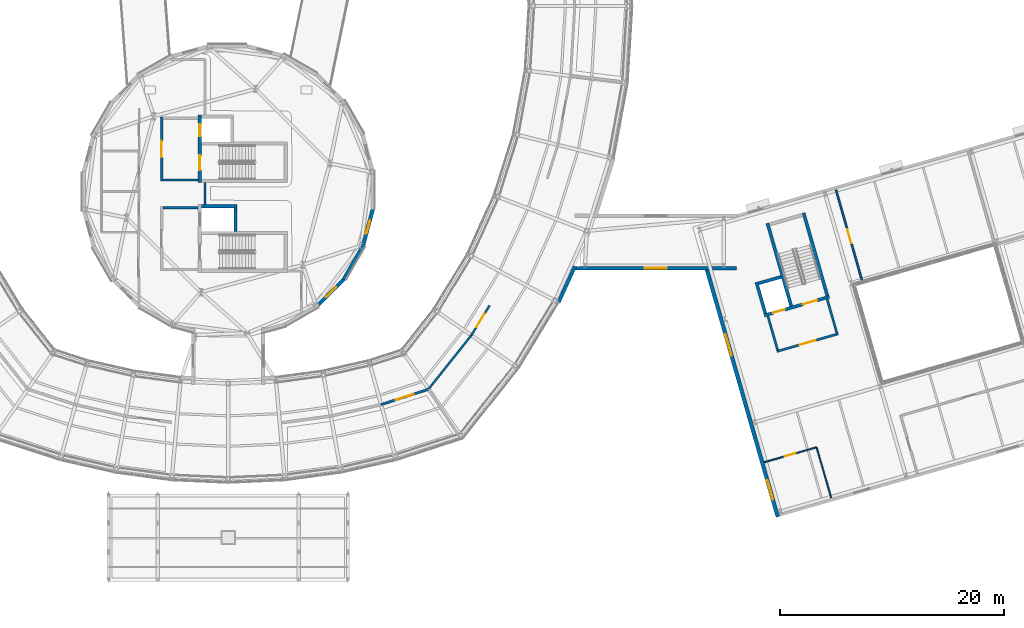
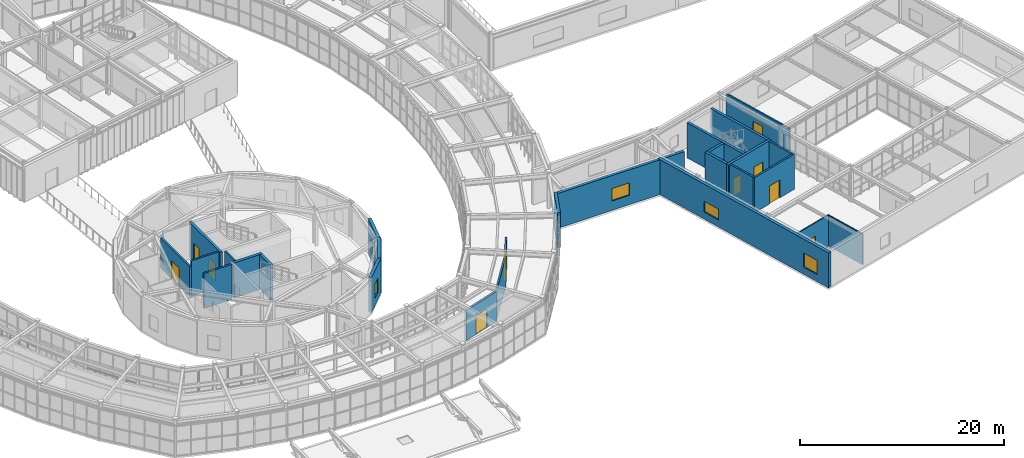
# One storey, part 77 of 103: 27 walls, 10 doors, 5 windows, 15 openings.
"""IFC4 building model written with IfcOpenShell, lengths in metres."""

from ifc_helpers import new_model, si_unit, direction, frame, frame_2d, origin, place, context, subcontext, project, spatial, rectangle, extrude, material, layer, layer_set, type_object, element, fill, save


model = new_model("IFC4")

# Units and contexts
model_context = context("Model", 3, precision=1e-05, world=origin(), true_north=direction((0.0, 1.0)))
body_context = subcontext(model_context, "Body", "Model", "MODEL_VIEW")
ifc_project = project(units=[si_unit("LENGTHUNIT", "METRE"), si_unit("AREAUNIT", "SQUARE_METRE"), si_unit("VOLUMEUNIT", "CUBIC_METRE"), si_unit("PLANEANGLEUNIT", "RADIAN"), si_unit("MASSUNIT", "GRAM", prefix="KILO")], contexts=[model_context])

# Site, building, storey
site_placement = place(None, origin())
site = spatial("IfcSite", under=ifc_project, at=site_placement, CompositionType="ELEMENT")
building_placement = place(site_placement, origin())
building = spatial("IfcBuilding", under=site, at=building_placement, Name="Varnklinge Art Gallery", CompositionType="ELEMENT")
storey_placement = place(building_placement, frame((0.0, 0.0, 5.10009765625)))
storey = spatial("IfcBuildingStorey", under=building, at=storey_placement, Name="L01", CompositionType="ELEMENT", Elevation=5.10009765625)

# Wall
ifc_material_1 = material(Name="Precast concrete C40/50", Category="concrete")
ifc_layer_1 = layer(ifc_material_1, 0.320068359375)
ifc_layer_set_1 = layer_set([ifc_layer_1], Name="Precast concrete C40/50")
wall_type_1 = type_object("IfcWallType", Name="EW-32", PredefinedType="SOLIDWALL", material=ifc_layer_set_1)
wall_1_placement = place(storey_placement, frame((106.485107421875, 31.719970703125, 0.0), z_axis=(0.0, 0.0, 1.0), x_axis=(-0.413433018277, -0.910534534984, 0.0)))
element("IfcWall", 1, at=wall_1_placement, inside=storey, type_object=wall_type_1, Name="EW-V2O-L01-K2-1", PredefinedType="SOLIDWALL", context=body_context, shape_type="SweptSolid", body=[
    extrude(rectangle(XDim=3.53076171875, YDim=0.320068359375, at=frame_2d((1.765380859375, 0.0))), origin(), (0.0, 0.0, 1.0), 4.179931640625),
])

# Wall, opening, window
wall_2_placement = place(storey_placement, frame((120.919921875, 31.56005859375, 0.0), z_axis=(0.0, 0.0, 1.0), x_axis=(-1.0, 0.0, 0.0)))
wall_2 = element("IfcWall", 2, at=wall_2_placement, inside=storey, type_object=wall_type_1, Name="L01 Gallery Link Wall EW-LNK-V6-L01-S", PredefinedType="SOLIDWALL", context=body_context, shape_type="SweptSolid", body=[
    extrude(rectangle(XDim=14.43994140625, YDim=0.320068359375, at=frame_2d((7.219970703125, 0.0))), origin(), (0.0, 0.0, 1.0), 4.169921875),
])
opening_1_placement = place(wall_2_placement, frame((6.2451171875, 0.0, 1.1201171875)))
opening_1 = element("IfcOpeningElement", 3, at=opening_1_placement, cuts=wall_2, Name="Opening WN-05", PredefinedType="OPENING", context=body_context, shape_type="SweptSolid", body=[
    extrude(rectangle(XDim=1.949951171875, YDim=1.5, at=frame_2d((0.97509765625, 0.75))), frame((0.0, 0.170166015625, 0.0), z_axis=(0.0, -1.0, 0.0), x_axis=(1.0, 0.0, 0.0)), (0.0, 0.0, 1.0), 0.340087890625),
])
ifc_material_2 = material(Name="Insulated Low-E Triple Glazing", Category="glass")
window_type_1 = type_object("IfcWindowType", Name="WN-05", PartitioningType="SINGLE_PANEL", PredefinedType="WINDOW", material=ifc_material_2)
window_1_placement = place(opening_1_placement, origin())
window_1 = element("IfcWindow", 4, at=window_1_placement, inside=storey, type_object=window_type_1, Name="L01 Window WIN-L01-235", OverallHeight=1.5, OverallWidth=1.949951171875, PartitioningType="SINGLE_PANEL", PredefinedType="WINDOW", context=body_context, shape_type="SweptSolid", body=[
    extrude(rectangle(XDim=1.949951171875, YDim=1.5, at=frame_2d((0.97509765625, 0.75))), frame((0.0, 0.030029296875, 0.0), z_axis=(0.0, -1.0, 0.0), x_axis=(1.0, 0.0, 0.0)), (0.0, 0.0, 1.0), 0.06005859375),
])
fill(opening_1, window_1)

ifc_material_3 = material(Name="Precast concrete C40/50", Category="concrete")
ifc_layer_2 = layer(ifc_material_3, 0.340087890625)
ifc_layer_set_2 = layer_set([ifc_layer_2], Name="Precast concrete C40/50")
wall_type_2 = type_object("IfcWallType", Name="EW-34", PredefinedType="SOLIDWALL", material=ifc_layer_set_2)
wall_3_placement = place(storey_placement, frame((88.461181640625, 36.963623046875, 0.0), z_axis=(0.0, 0.0, 1.0), x_axis=(-0.258828348784, -0.965923333327, 0.0)))
wall_3 = element("IfcWall", 5, at=wall_3_placement, inside=storey, type_object=wall_type_2, Name="L01 Exterior Wall EW-V4D-L01-02", PredefinedType="SOLIDWALL", context=body_context, shape_type="SweptSolid", body=[
    extrude(rectangle(XDim=3.571044921875, YDim=0.340087890625, at=frame_2d((1.78564453125, 0.0))), origin(), (0.0, 0.0, 1.0), 4.199951171875),
])
opening_2_placement = place(wall_3_placement, frame((1.16064453125, 0.0, 0.85009765625)))
opening_2 = element("IfcOpeningElement", 6, at=opening_2_placement, cuts=wall_3, Name="Opening WN-09", PredefinedType="OPENING", context=body_context, shape_type="SweptSolid", body=[
    extrude(rectangle(XDim=1.25, YDim=1.699951171875, at=frame_2d((0.625, 0.85009765625))), frame((0.0, 0.179931640625, 0.0), z_axis=(0.0, -1.0, 0.0), x_axis=(1.0, 0.0, 0.0)), (0.0, 0.0, 1.0), 0.360107421875),
])
ifc_material_4 = material(Name="Insulated Low-E Triple Glazing", Category="glass")
window_type_2 = type_object("IfcWindowType", Name="WN-09", PartitioningType="SINGLE_PANEL", PredefinedType="WINDOW", material=ifc_material_4)
window_2_placement = place(opening_2_placement, origin())
window_2 = element("IfcWindow", 7, at=window_2_placement, inside=storey, type_object=window_type_2, Name="L01 Window WIN-L01-076", OverallHeight=1.699951171875, OverallWidth=1.25, PartitioningType="SINGLE_PANEL", PredefinedType="WINDOW", context=body_context, shape_type="SweptSolid", body=[
    extrude(rectangle(XDim=1.25, YDim=1.699951171875, at=frame_2d((0.625, 0.85009765625))), frame((0.0, 0.030029296875, 0.0), z_axis=(0.0, -1.0, 0.0), x_axis=(1.0, 0.0, 0.0)), (0.0, 0.0, 1.0), 0.06005859375),
])
fill(opening_2, window_2)

# Wall
wall_4_placement = place(storey_placement, frame((87.621826171875, 33.661376953125, 0.0), z_axis=(0.0, 0.0, 1.0), x_axis=(-0.500006500783, -0.866021650523, 0.0)))
element("IfcWall", 8, at=wall_4_placement, inside=storey, type_object=wall_type_2, Name="L01 Exterior Wall EW-V4D-L01-03", PredefinedType="SOLIDWALL", context=body_context, shape_type="SweptSolid", body=[
    extrude(rectangle(XDim=3.5712890625, YDim=0.340087890625, at=frame_2d((1.78564453125, 0.0))), origin(), (0.0, 0.0, 1.0), 4.199951171875),
])

# Wall, opening, window
wall_5_placement = place(storey_placement, frame((85.95654296875, 30.68896484375, 0.0), z_axis=(0.0, 0.0, 1.0), x_axis=(-0.707106781187, -0.707106781187, 0.0)))
wall_5 = element("IfcWall", 9, at=wall_5_placement, inside=storey, type_object=wall_type_2, Name="L01 Exterior Wall EW-V4D-L01-04", PredefinedType="SOLIDWALL", context=body_context, shape_type="SweptSolid", body=[
    extrude(rectangle(XDim=3.571044921875, YDim=0.340087890625, at=frame_2d((1.78564453125, 0.0))), origin(), (0.0, 0.0, 1.0), 4.199951171875),
])
opening_3_placement = place(wall_5_placement, frame((1.16064453125, 0.0, 0.85009765625)))
opening_3 = element("IfcOpeningElement", 10, at=opening_3_placement, cuts=wall_5, Name="Opening WN-09", PredefinedType="OPENING", context=body_context, shape_type="SweptSolid", body=[
    extrude(rectangle(XDim=1.25, YDim=1.699951171875, at=frame_2d((0.625, 0.85009765625))), frame((0.0, 0.179931640625, 0.0), z_axis=(0.0, -1.0, 0.0), x_axis=(1.0, 0.0, 0.0)), (0.0, 0.0, 1.0), 0.360107421875),
])
window_3_placement = place(opening_3_placement, origin())
window_3 = element("IfcWindow", 11, at=window_3_placement, inside=storey, type_object=window_type_2, Name="L01 Window WIN-L01-077", OverallHeight=1.699951171875, OverallWidth=1.25, PartitioningType="SINGLE_PANEL", PredefinedType="WINDOW", context=body_context, shape_type="SweptSolid", body=[
    extrude(rectangle(XDim=1.25, YDim=1.699951171875, at=frame_2d((0.625, 0.85009765625))), frame((0.0, 0.030029296875, 0.0), z_axis=(0.0, -1.0, 0.0), x_axis=(1.0, 0.0, 0.0)), (0.0, 0.0, 1.0), 0.06005859375),
])
fill(opening_3, window_3)

# Wall, openings, windows
wall_6_placement = place(storey_placement, frame((124.62060546875, 9.332763671875, 0.0), z_axis=(0.0, 0.0, 1.0), x_axis=(-0.275637565206, 0.961261635897, 0.0)))
wall_6 = element("IfcWall", 12, at=wall_6_placement, inside=storey, type_object=wall_type_2, Name="L01 Exterior Wall EW-V6-L01-01", PredefinedType="SOLIDWALL", context=body_context, shape_type="SweptSolid", body=[
    extrude(rectangle(XDim=23.289306640625, YDim=0.340087890625, at=frame_2d((11.64453125, 0.0))), origin(), (0.0, 0.0, 1.0), 4.199951171875),
])
opening_4_placement = place(wall_6_placement, frame((1.60009765625, 0.0, 0.85009765625)))
opening_4 = element("IfcOpeningElement", 13, at=opening_4_placement, cuts=wall_6, Name="Opening WN-11", PredefinedType="OPENING", context=body_context, shape_type="SweptSolid", body=[
    extrude(rectangle(XDim=1.800048828125, YDim=1.699951171875, at=frame_2d((0.89990234375, 0.85009765625))), frame((0.0, 0.179931640625, 0.0), z_axis=(0.0, -1.0, 0.0), x_axis=(1.0, 0.0, 0.0)), (0.0, 0.0, 1.0), 0.360107421875),
])
opening_5_placement = place(wall_6_placement, frame((14.992919921875, 0.0, 0.85009765625)))
opening_5 = element("IfcOpeningElement", 14, at=opening_5_placement, cuts=wall_6, Name="Opening WN-18", PredefinedType="OPENING", context=body_context, shape_type="SweptSolid", body=[
    extrude(rectangle(XDim=2.0, YDim=1.300048828125, at=frame_2d((1.0, 0.64990234375))), frame((0.0, 0.179931640625, 0.0), z_axis=(0.0, -1.0, 0.0), x_axis=(1.0, 0.0, 0.0)), (0.0, 0.0, 1.0), 0.360107421875),
])
ifc_material_5 = material(Name="Insulated Low-E Triple Glazing", Category="glass")
window_type_3 = type_object("IfcWindowType", Name="WN-11", PartitioningType="SINGLE_PANEL", PredefinedType="WINDOW", material=ifc_material_5)
window_4_placement = place(opening_4_placement, origin())
window_4 = element("IfcWindow", 15, at=window_4_placement, inside=storey, type_object=window_type_3, Name="L01 Window WIN-L01-162", OverallHeight=1.699951171875, OverallWidth=1.800048828125, PartitioningType="SINGLE_PANEL", PredefinedType="WINDOW", context=body_context, shape_type="SweptSolid", body=[
    extrude(rectangle(XDim=1.800048828125, YDim=1.699951171875, at=frame_2d((0.89990234375, 0.85009765625))), frame((0.0, 0.030029296875, 0.0), z_axis=(0.0, -1.0, 0.0), x_axis=(1.0, 0.0, 0.0)), (0.0, 0.0, 1.0), 0.06005859375),
])
fill(opening_4, window_4)
ifc_material_6 = material(Name="Insulated Low-E Triple Glazing", Category="glass")
window_type_4 = type_object("IfcWindowType", Name="WN-18", PartitioningType="SINGLE_PANEL", PredefinedType="WINDOW", material=ifc_material_6)
window_5_placement = place(opening_5_placement, origin())
window_5 = element("IfcWindow", 16, at=window_5_placement, inside=storey, type_object=window_type_4, Name="L01 Window WIN-L01-163", OverallHeight=1.300048828125, OverallWidth=2.0, PartitioningType="SINGLE_PANEL", PredefinedType="WINDOW", context=body_context, shape_type="SweptSolid", body=[
    extrude(rectangle(XDim=2.0, YDim=1.300048828125, at=frame_2d((1.0, 0.64990234375))), frame((0.0, 0.030029296875, 0.0), z_axis=(0.0, -1.0, 0.0), x_axis=(1.0, 0.0, 0.0)), (0.0, 0.0, 1.0), 0.06005859375),
])
fill(opening_5, window_5)

# Wall, opening, door
ifc_material_7 = material(Name="Gypsum Board Partition", Category="gypsum")
ifc_layer_3 = layer(ifc_material_7, 0.1201171875)
ifc_layer_set_3 = layer_set([ifc_layer_3], Name="Gypsum Board Partition")
wall_type_3 = type_object("IfcWallType", Name="IW-12", PredefinedType="PARTITIONING", material=ifc_layer_set_3)
wall_7_placement = place(storey_placement, frame((123.4013671875, 14.2158203125, 0.0), z_axis=(0.0, 0.0, 1.0), x_axis=(0.961754062565, 0.273914444926, 0.0)))
wall_7 = element("IfcWall", 17, at=wall_7_placement, inside=storey, type_object=wall_type_3, Name="L01 Partition Wall IW-L01-0228", PredefinedType="PARTITIONING", context=body_context, shape_type="SweptSolid", body=[
    extrude(rectangle(XDim=4.877197265625, YDim=0.1201171875, at=frame_2d((2.4384765625, 0.0))), origin(), (0.0, 0.0, 1.0), 3.739990234375),
])
opening_6_placement = place(wall_7_placement, frame((1.9287109375, 0.0, 0.0)))
opening_6 = element("IfcOpeningElement", 18, at=opening_6_placement, cuts=wall_7, Name="Opening D-L01-210", PredefinedType="OPENING", context=body_context, shape_type="SweptSolid", body=[
    extrude(rectangle(XDim=1.02001953125, YDim=2.1201171875, at=frame_2d((0.510009765625, 1.06005859375))), frame((0.0, 0.070068359375, 0.0), z_axis=(0.0, -1.0, 0.0), x_axis=(1.0, 0.0, 0.0)), (0.0, 0.0, 1.0), 0.14013671875),
])
ifc_material_8 = material(Name="Oak Timber Leaf", Category="wood")
door_type_1 = type_object("IfcDoorType", Name="ID-03", OperationType="SINGLE_SWING_LEFT", PredefinedType="DOOR", material=ifc_material_8)
door_1_placement = place(opening_6_placement, origin())
door_1 = element("IfcDoor", 19, at=door_1_placement, inside=storey, type_object=door_type_1, Name="L01 L01 Accessible WC Studios Door D-L01-210", OperationType="SINGLE_SWING_RIGHT", OverallHeight=2.1201171875, OverallWidth=1.02001953125, PredefinedType="DOOR", context=body_context, shape_type="SweptSolid", body=[
    extrude(rectangle(XDim=1.02001953125, YDim=2.1201171875, at=frame_2d((0.510009765625, 1.06005859375))), frame((0.0, 0.02490234375, 0.0), z_axis=(0.0, -1.0, 0.0), x_axis=(1.0, 0.0, 0.0)), (0.0, 0.0, 1.0), 0.050048828125),
])
fill(opening_6, door_1)

# Wall
wall_8_placement = place(storey_placement, frame((128.092041015625, 15.5517578125, 0.0), z_axis=(0.0, 0.0, 1.0), x_axis=(0.277429379743, -0.960746032652, 0.0)))
element("IfcWall", 20, at=wall_8_placement, inside=storey, type_object=wall_type_3, Name="L01 Partition Wall IW-L01-0229", PredefinedType="PARTITIONING", context=body_context, shape_type="SweptSolid", body=[
    extrude(rectangle(XDim=4.67724609375, YDim=0.1201171875, at=frame_2d((2.338623046875, 0.0))), origin(), (0.0, 0.0, 1.0), 3.68994140625),
])

# Wall, opening, door
ifc_material_9 = material(Name="Gypsum Board Partition", Category="gypsum")
ifc_layer_4 = layer(ifc_material_9, 0.159912109375)
ifc_layer_set_4 = layer_set([ifc_layer_4], Name="Gypsum Board Partition")
wall_type_4 = type_object("IfcWallType", Name="IW-16", PredefinedType="PARTITIONING", material=ifc_layer_set_4)
wall_9_placement = place(storey_placement, frame((129.8271484375, 38.555908203125, 0.0), z_axis=(0.0, 0.0, 1.0), x_axis=(0.275653938158, -0.961256940874, 0.0)))
wall_9 = element("IfcWall", 21, at=wall_9_placement, inside=storey, type_object=wall_type_4, Name="L01 Partition Wall IW-L01-0230", PredefinedType="PARTITIONING", context=body_context, shape_type="SweptSolid", body=[
    extrude(rectangle(XDim=8.606201171875, YDim=0.159912109375, at=frame_2d((4.30322265625, 0.0))), origin(), (0.0, 0.0, 1.0), 3.68994140625),
])
opening_7_placement = place(wall_9_placement, frame((3.653076171875, 0.0, 0.0)))
opening_7 = element("IfcOpeningElement", 22, at=opening_7_placement, cuts=wall_9, Name="Opening D-L01-211", PredefinedType="OPENING", context=body_context, shape_type="SweptSolid", body=[
    extrude(rectangle(XDim=1.300048828125, YDim=2.14990234375, at=frame_2d((0.64990234375, 1.074951171875))), frame((0.0, 0.090087890625, 0.0), z_axis=(0.0, -1.0, 0.0), x_axis=(1.0, 0.0, 0.0)), (0.0, 0.0, 1.0), 0.179931640625),
])
ifc_material_10 = material(Name="Oak Timber Leaf", Category="wood")
door_type_2 = type_object("IfcDoorType", Name="ID-11", OperationType="SINGLE_SWING_LEFT", PredefinedType="DOOR", material=ifc_material_10)
door_2_placement = place(opening_7_placement, origin())
door_2 = element("IfcDoor", 23, at=door_2_placement, inside=storey, type_object=door_type_2, Name="L01 L01 Artists Studio 1 Door D-L01-211", OperationType="SINGLE_SWING_LEFT", OverallHeight=2.14990234375, OverallWidth=1.300048828125, PredefinedType="DOOR", context=body_context, shape_type="SweptSolid", body=[
    extrude(rectangle(XDim=1.300048828125, YDim=2.14990234375, at=frame_2d((0.64990234375, 1.074951171875))), frame((0.0, 0.02490234375, 0.0), z_axis=(0.0, -1.0, 0.0), x_axis=(1.0, 0.0, 0.0)), (0.0, 0.0, 1.0), 0.050048828125),
])
fill(opening_7, door_2)

ifc_material_11 = material(Name="Gypsum Board Partition", Category="gypsum")
ifc_layer_5 = layer(ifc_material_11, 0.179931640625)
ifc_layer_set_5 = layer_set([ifc_layer_5], Name="Gypsum Board Partition")
wall_type_5 = type_object("IfcWallType", Name="IW-18", PredefinedType="PARTITIONING", material=ifc_layer_set_5)
wall_10_placement = place(storey_placement, frame((98.857177734375, 28.22998046875, 0.0), z_axis=(0.0, 0.0, 1.0), x_axis=(-0.521030331716, -0.853538161673, 0.0)))
wall_10 = element("IfcWall", 24, at=wall_10_placement, inside=storey, type_object=wall_type_5, Name="L01 Partition Wall IW-L01-0170", PredefinedType="PARTITIONING", context=body_context, shape_type="SweptSolid", body=[
    extrude(rectangle(XDim=3.130126953125, YDim=0.179931640625, at=frame_2d((1.56494140625, 0.0))), origin(), (0.0, 0.0, 1.0), 3.56982421875),
])
opening_8_placement = place(wall_10_placement, frame((0.85498046875, 0.0, 0.0)))
opening_8 = element("IfcOpeningElement", 25, at=opening_8_placement, cuts=wall_10, Name="Opening D-L01-183", PredefinedType="OPENING", context=body_context, shape_type="SweptSolid", body=[
    extrude(rectangle(XDim=1.419921875, YDim=2.179931640625, at=frame_2d((0.7099609375, 1.08984375))), frame((0.0, 0.099853515625, 0.0), z_axis=(0.0, -1.0, 0.0), x_axis=(1.0, 0.0, 0.0)), (0.0, 0.0, 1.0), 0.199951171875),
])
ifc_material_12 = material(Name="Oak Timber Leaf", Category="wood")
door_type_3 = type_object("IfcDoorType", Name="ID-07", OperationType="DOUBLE_DOOR_SINGLE_SWING", PredefinedType="DOOR", material=ifc_material_12)
door_3_placement = place(opening_8_placement, origin())
door_3 = element("IfcDoor", 26, at=door_3_placement, inside=storey, type_object=door_type_3, Name="L01 L01 Upper East Curved Exhibition Gallery Door D-L01-183", OperationType="DOUBLE_DOOR_SINGLE_SWING", OverallHeight=2.179931640625, OverallWidth=1.419921875, PredefinedType="DOOR", context=body_context, shape_type="SweptSolid", body=[
    extrude(rectangle(XDim=1.419921875, YDim=2.179931640625, at=frame_2d((0.7099609375, 1.08984375))), frame((0.0, 0.02490234375, 0.0), z_axis=(0.0, -1.0, 0.0), x_axis=(1.0, 0.0, 0.0)), (0.0, 0.0, 1.0), 0.050048828125),
])
fill(opening_8, door_3)

# Walls
wall_11_placement = place(storey_placement, frame((97.226318359375, 25.558349609375, 0.0), z_axis=(0.0, 0.0, 1.0), x_axis=(-0.622978411473, -0.782239029223, 0.0)))
element("IfcWall", 27, at=wall_11_placement, inside=storey, type_object=wall_type_5, Name="L01 Partition Wall IW-L01-0171", PredefinedType="PARTITIONING", context=body_context, shape_type="SweptSolid", body=[
    extrude(rectangle(XDim=6.16259765625, YDim=0.179931640625, at=frame_2d((3.081298828125, 0.0))), origin(), (0.0, 0.0, 1.0), 3.56982421875),
])
wall_12_placement = place(storey_placement, frame((73.429931640625, 39.2060546875, 0.0), z_axis=(0.0, 0.0, 1.0), x_axis=(0.0, -1.0, 0.0)))
element("IfcWall", 28, at=wall_12_placement, inside=storey, type_object=wall_type_5, Name="L01 Partition Wall IW-L01-0214", PredefinedType="PARTITIONING", context=body_context, shape_type="SweptSolid", body=[
    extrude(rectangle(XDim=1.942138671875, YDim=0.179931640625, at=frame_2d((0.97119140625, 0.0))), origin(), (0.0, 0.0, 1.0), 4.18994140625),
])
ifc_material_13 = material(Name="Concrete C40/50", Category="concrete")
ifc_layer_6 = layer(ifc_material_13, 0.199951171875)
ifc_layer_set_6 = layer_set([ifc_layer_6], Name="Concrete C40/50")
wall_type_6 = type_object("IfcWallType", Name="IW-20", PredefinedType="PARTITIONING", material=ifc_layer_set_6)
for number, where, z_axis, x_axis, name in (
    (29, (72.800048828125, 36.9599609375, 0.0), (0.0, 0.0, 1.0), (-1.0, 0.0, 0.0), "L01 Core C1 Lobby North Wall"),
    (30, (69.64990234375, 39.449951171875, 0.0), (0.0, 0.0, 1.0), (1.0, 0.0, 0.0), "L01 Core C2 Lobby South Wall"),
):
    element("IfcWall", number, at=place(storey_placement, frame(where, z_axis=z_axis, x_axis=x_axis)), inside=storey, type_object=wall_type_6, Name=name, PredefinedType="PARTITIONING", context=body_context, shape_type="SweptSolid", body=[
        extrude(rectangle(XDim=3.150146484375, YDim=0.199951171875, at=frame_2d((1.5751953125, 0.0))), origin(), (0.0, 0.0, 1.0), 4.199951171875),
    ])

# Wall, opening, door
wall_13_placement = place(storey_placement, frame((69.550048828125, 39.35009765625, 0.0), z_axis=(0.0, 0.0, 1.0), x_axis=(0.0, 1.0, 0.0)))
wall_13 = element("IfcWall", 31, at=wall_13_placement, inside=storey, type_object=wall_type_6, Name="L01 Core C2 Lobby Corridor Wall", PredefinedType="PARTITIONING", context=body_context, shape_type="SweptSolid", body=[
    extrude(rectangle(XDim=5.7099609375, YDim=0.199951171875, at=frame_2d((2.85498046875, 0.0))), origin(), (0.0, 0.0, 1.0), 3.58984375),
])
opening_9_placement = place(wall_13_placement, frame((2.114990234375, 0.0, 0.0)))
opening_9 = element("IfcOpeningElement", 32, at=opening_9_placement, cuts=wall_13, Name="Opening D-L01-033", PredefinedType="OPENING", context=body_context, shape_type="SweptSolid", body=[
    extrude(rectangle(XDim=1.47998046875, YDim=2.14990234375, at=frame_2d((0.739990234375, 1.074951171875))), frame((0.0, 0.110107421875, 0.0), z_axis=(0.0, -1.0, 0.0), x_axis=(1.0, 0.0, 0.0)), (0.0, 0.0, 1.0), 0.219970703125),
])
ifc_material_14 = material(Name="Galvanised Fire-Rated Steel", Category="steel")
door_type_4 = type_object("IfcDoorType", Name="ID-LB1", OperationType="DOUBLE_DOOR_SINGLE_SWING", PredefinedType="DOOR", material=ifc_material_14)
door_4_placement = place(opening_9_placement, origin())
door_4 = element("IfcDoor", 33, at=door_4_placement, inside=storey, type_object=door_type_4, Name="L01 Core C2 Protected Lobby Door D-L01-033", OperationType="DOUBLE_DOOR_SINGLE_SWING", OverallHeight=2.14990234375, OverallWidth=1.47998046875, PredefinedType="DOOR", context=body_context, shape_type="SweptSolid", body=[
    extrude(rectangle(XDim=1.47998046875, YDim=2.14990234375, at=frame_2d((0.739990234375, 1.074951171875))), frame((0.0, 0.02490234375, 0.0), z_axis=(0.0, -1.0, 0.0), x_axis=(1.0, 0.0, 0.0)), (0.0, 0.0, 1.0), 0.050048828125),
])
fill(opening_9, door_4)

# Walls
for number, where, z_axis, x_axis, name in (
    (34, (129.902587890625, 25.767578125, 0.0), (0.0, 0.0, 1.0), (-0.275601331974, 0.961272024879, 0.0), "L01 Core C5 Lobby South Wall"),
    (35, (123.73779296875, 27.27685546875, 0.0), (0.0, 0.0, 1.0), (0.275672946026, -0.961251489897, 0.0), "L01 Core C5 Lobby North Wall"),
):
    element("IfcWall", number, at=place(storey_placement, frame(where, z_axis=z_axis, x_axis=x_axis)), inside=storey, type_object=wall_type_6, Name=name, PredefinedType="PARTITIONING", context=body_context, shape_type="SweptSolid", body=[
        extrude(rectangle(XDim=3.150146484375, YDim=0.199951171875, at=frame_2d((1.5751953125, 0.0))), origin(), (0.0, 0.0, 1.0), 4.199951171875),
    ])

# Wall, opening, door
wall_14_placement = place(storey_placement, frame((130.0263671875, 25.69921875, 0.0), z_axis=(0.0, 0.0, 1.0), x_axis=(-0.961257274888, -0.275652773383, 0.0)))
wall_14 = element("IfcWall", 36, at=wall_14_placement, inside=storey, type_object=wall_type_6, Name="L01 Core C5 Lobby Corridor Wall", PredefinedType="PARTITIONING", context=body_context, shape_type="SweptSolid", body=[
    extrude(rectangle(XDim=5.7099609375, YDim=0.199951171875, at=frame_2d((2.85498046875, 0.0))), origin(), (0.0, 0.0, 1.0), 4.199951171875),
])
opening_10_placement = place(wall_14_placement, frame((2.114990234375, 0.0, 0.0)))
opening_10 = element("IfcOpeningElement", 37, at=opening_10_placement, cuts=wall_14, Name="Opening D-L01-078", PredefinedType="OPENING", context=body_context, shape_type="SweptSolid", body=[
    extrude(rectangle(XDim=1.47998046875, YDim=2.14990234375, at=frame_2d((0.739990234375, 1.074951171875))), frame((0.0, 0.110107421875, 0.0), z_axis=(0.0, -1.0, 0.0), x_axis=(1.0, 0.0, 0.0)), (0.0, 0.0, 1.0), 0.219970703125),
])
door_5_placement = place(opening_10_placement, origin())
door_5 = element("IfcDoor", 38, at=door_5_placement, inside=storey, type_object=door_type_4, Name="L01 Core C5 Protected Lobby Door D-L01-078", OperationType="DOUBLE_DOOR_SINGLE_SWING", OverallHeight=2.14990234375, OverallWidth=1.47998046875, PredefinedType="DOOR", context=body_context, shape_type="SweptSolid", body=[
    extrude(rectangle(XDim=1.47998046875, YDim=2.14990234375, at=frame_2d((0.739990234375, 1.074951171875))), frame((0.0, 0.02490234375, 0.0), z_axis=(0.0, -1.0, 0.0), x_axis=(1.0, 0.0, 0.0)), (0.0, 0.0, 1.0), 0.050048828125),
])
fill(opening_10, door_5)

ifc_material_15 = material(Name="Concrete C40/50", Category="concrete")
ifc_layer_7 = layer(ifc_material_15, 0.219970703125)
ifc_layer_set_7 = layer_set([ifc_layer_7], Name="Concrete C40/50")
wall_type_7 = type_object("IfcWallType", Name="IW-22", PredefinedType="PARTITIONING", material=ifc_layer_set_7)
wall_15_placement = place(storey_placement, frame((93.38720703125, 20.73779296875, 0.0), z_axis=(0.0, 0.0, 1.0), x_axis=(-0.951298623727, -0.30827086871, 0.0)))
wall_15 = element("IfcWall", 39, at=wall_15_placement, inside=storey, type_object=wall_type_7, Name="L01 Partition Wall IW-L01-0200", PredefinedType="PARTITIONING", context=body_context, shape_type="SweptSolid", body=[
    extrude(rectangle(XDim=4.44287109375, YDim=0.219970703125, at=frame_2d((2.221435546875, 0.0))), origin(), (0.0, 0.0, 1.0), 3.56982421875),
])
opening_11_placement = place(wall_15_placement, frame((1.401611328125, 0.0, 0.0)))
opening_11 = element("IfcOpeningElement", 40, at=opening_11_placement, cuts=wall_15, Name="Opening D-L01-195", PredefinedType="OPENING", context=body_context, shape_type="SweptSolid", body=[
    extrude(rectangle(XDim=1.639892578125, YDim=2.199951171875, at=frame_2d((0.81982421875, 1.10009765625))), frame((0.0, 0.119873046875, 0.0), z_axis=(0.0, -1.0, 0.0), x_axis=(1.0, 0.0, 0.0)), (0.0, 0.0, 1.0), 0.239990234375),
])
ifc_material_16 = material(Name="Oak Timber Leaf", Category="wood")
door_type_5 = type_object("IfcDoorType", Name="ID-08", OperationType="DOUBLE_DOOR_SINGLE_SWING", PredefinedType="DOOR", material=ifc_material_16)
door_6_placement = place(opening_11_placement, origin())
door_6 = element("IfcDoor", 41, at=door_6_placement, inside=storey, type_object=door_type_5, Name="L01 L01 Upper Southeast Members Salon Door D-L01-195", OperationType="DOUBLE_DOOR_SINGLE_SWING", OverallHeight=2.199951171875, OverallWidth=1.639892578125, PredefinedType="DOOR", context=body_context, shape_type="SweptSolid", body=[
    extrude(rectangle(XDim=1.639892578125, YDim=2.199951171875, at=frame_2d((0.81982421875, 1.10009765625))), frame((0.0, 0.02490234375, 0.0), z_axis=(0.0, -1.0, 0.0), x_axis=(1.0, 0.0, 0.0)), (0.0, 0.0, 1.0), 0.050048828125),
])
fill(opening_11, door_6)

# Wall, openings, doors
ifc_material_17 = material(Name="Concrete C40/50", Category="concrete")
ifc_layer_8 = layer(ifc_material_17, 0.280029296875)
ifc_layer_set_8 = layer_set([ifc_layer_8], Name="Concrete C40/50")
wall_type_8 = type_object("IfcWallType", Name="SW-28", PredefinedType="SHEAR", material=ifc_layer_set_8)
wall_16_placement = place(storey_placement, frame((72.949951171875, 45.25, 0.0), z_axis=(0.0, 0.0, 1.0), x_axis=(0.0, -1.0, 0.0)))
wall_16 = element("IfcWall", 42, at=wall_16_placement, inside=storey, type_object=wall_type_8, Name="L01 Core C2 Front Shear Wall", PredefinedType="SHEAR", context=body_context, shape_type="SweptSolid", body=[
    extrude(rectangle(XDim=6.0400390625, YDim=0.280029296875, at=frame_2d((3.02001953125, 0.0))), origin(), (0.0, 0.0, 1.0), 4.199951171875),
])
opening_12_placement = place(wall_16_placement, frame((0.800048828125, 0.0, 0.0)))
opening_12 = element("IfcOpeningElement", 43, at=opening_12_placement, cuts=wall_16, Name="Opening LD-L01-031", PredefinedType="OPENING", context=body_context, shape_type="SweptSolid", body=[
    extrude(rectangle(XDim=1.10009765625, YDim=2.1201171875, at=frame_2d((0.550048828125, 1.06005859375))), frame((0.0, 0.150146484375, 0.0), z_axis=(0.0, -1.0, 0.0), x_axis=(1.0, 0.0, 0.0)), (0.0, 0.0, 1.0), 0.300048828125),
])
opening_13_placement = place(wall_16_placement, frame((3.60009765625, 0.0, 0.0)))
opening_13 = element("IfcOpeningElement", 44, at=opening_13_placement, cuts=wall_16, Name="Opening D-L01-032", PredefinedType="OPENING", context=body_context, shape_type="SweptSolid", body=[
    extrude(rectangle(XDim=1.320068359375, YDim=2.1201171875, at=frame_2d((0.66015625, 1.06005859375))), frame((0.0, 0.150146484375, 0.0), z_axis=(0.0, -1.0, 0.0), x_axis=(1.0, 0.0, 0.0)), (0.0, 0.0, 1.0), 0.300048828125),
])
ifc_material_18 = material(Name="Galvanised Fire-Rated Steel", Category="steel")
door_type_6 = type_object("IfcDoorType", Name="ID-ST1", OperationType="SINGLE_SWING_LEFT", PredefinedType="DOOR", material=ifc_material_18)
door_7_placement = place(opening_13_placement, origin())
door_7 = element("IfcDoor", 45, at=door_7_placement, inside=storey, type_object=door_type_6, Name="L01 Stair ST-02 Fire Door D-L01-032", OperationType="SINGLE_SWING_LEFT", OverallHeight=2.1201171875, OverallWidth=1.320068359375, PredefinedType="DOOR", context=body_context, shape_type="SweptSolid", body=[
    extrude(rectangle(XDim=1.320068359375, YDim=2.1201171875, at=frame_2d((0.66015625, 1.06005859375))), frame((0.0, 0.02490234375, 0.0), z_axis=(0.0, -1.0, 0.0), x_axis=(1.0, 0.0, 0.0)), (0.0, 0.0, 1.0), 0.050048828125),
])
fill(opening_13, door_7)
ifc_material_19 = material(Name="Anodised Aluminium", Category="aluminium")
door_type_7 = type_object("IfcDoorType", Name="LD-PAX", OperationType="SLIDING_TO_LEFT", PredefinedType="DOOR", material=ifc_material_19)
door_8_placement = place(opening_12_placement, origin())
door_8 = element("IfcDoor", 46, at=door_8_placement, inside=storey, type_object=door_type_7, Name="L01 LF-02 Sliding Landing Door LD-L01-031", OperationType="SLIDING_TO_LEFT", OverallHeight=2.1201171875, OverallWidth=1.10009765625, PredefinedType="DOOR", context=body_context, shape_type="SweptSolid", body=[
    extrude(rectangle(XDim=1.10009765625, YDim=2.1201171875, at=frame_2d((0.550048828125, 1.06005859375))), frame((0.0, 0.02490234375, 0.0), z_axis=(0.0, -1.0, 0.0), x_axis=(1.0, 0.0, 0.0)), (0.0, 0.0, 1.0), 0.050048828125),
])
fill(opening_12, door_8)

# Walls
wall_17_placement = place(storey_placement, frame((129.050537109375, 29.10205078125, 0.0), z_axis=(0.0, 0.0, 1.0), x_axis=(-0.275629742399, 0.961263879018, 0.0)))
element("IfcWall", 47, at=wall_17_placement, inside=storey, type_object=wall_type_8, Name="L01 Core C5 South Shear Wall", PredefinedType="SHEAR", context=body_context, shape_type="SweptSolid", body=[
    extrude(rectangle(XDim=7.699951171875, YDim=0.280029296875, at=frame_2d((3.85009765625, 0.0))), origin(), (0.0, 0.0, 1.0), 4.199951171875),
])
wall_18_placement = place(storey_placement, frame((123.6982421875, 35.57763671875, 0.0), z_axis=(0.0, 0.0, 1.0), x_axis=(0.275650638876, -0.961257886983, 0.0)))
element("IfcWall", 48, at=wall_18_placement, inside=storey, type_object=wall_type_8, Name="L01 Core C5 Dividing Shear Wall", PredefinedType="SHEAR", context=body_context, shape_type="SweptSolid", body=[
    extrude(rectangle(XDim=7.7001953125, YDim=0.280029296875, at=frame_2d((3.85009765625, 0.0))), origin(), (0.0, 0.0, 1.0), 4.199951171875),
])
wall_19_placement = place(storey_placement, frame((124.92529296875, 30.790283203125, 0.0), z_axis=(0.0, 0.0, 1.0), x_axis=(-0.96127584502, -0.275588007324, 0.0)))
element("IfcWall", 49, at=wall_19_placement, inside=storey, type_object=wall_type_8, Name="L01 Core C5 Lift East Shear Wall", PredefinedType="SHEAR", context=body_context, shape_type="SweptSolid", body=[
    extrude(rectangle(XDim=2.119873046875, YDim=0.280029296875, at=frame_2d((1.06005859375, 0.0))), origin(), (0.0, 0.0, 1.0), 4.199951171875),
])
wall_20_placement = place(storey_placement, frame((122.71435546875, 30.302001953125, 0.0), z_axis=(0.0, 0.0, 1.0), x_axis=(0.275632780503, -0.961263007877, 0.0)))
element("IfcWall", 50, at=wall_20_placement, inside=storey, type_object=wall_type_8, Name="L01 Core C5 Lift North Shear Wall", PredefinedType="SHEAR", context=body_context, shape_type="SweptSolid", body=[
    extrude(rectangle(XDim=2.89990234375, YDim=0.280029296875, at=frame_2d((1.449951171875, 0.0))), origin(), (0.0, 0.0, 1.0), 4.199951171875),
])

# Wall, openings, doors
wall_21_placement = place(storey_placement, frame((123.417724609375, 27.341064453125, 0.0), z_axis=(0.0, 0.0, 1.0), x_axis=(0.961255042521, 0.275660557985, 0.0)))
wall_21 = element("IfcWall", 51, at=wall_21_placement, inside=storey, type_object=wall_type_8, Name="L01 Core C5 Front Shear Wall", PredefinedType="SHEAR", context=body_context, shape_type="SweptSolid", body=[
    extrude(rectangle(XDim=6.040283203125, YDim=0.280029296875, at=frame_2d((3.02001953125, 0.0))), origin(), (0.0, 0.0, 1.0), 4.199951171875),
])
opening_14_placement = place(wall_21_placement, frame((0.800048828125, 0.0, 0.0)))
opening_14 = element("IfcOpeningElement", 52, at=opening_14_placement, cuts=wall_21, Name="Opening LD-L01-076", PredefinedType="OPENING", context=body_context, shape_type="SweptSolid", body=[
    extrude(rectangle(XDim=1.10009765625, YDim=2.1201171875, at=frame_2d((0.550048828125, 1.06005859375))), frame((0.0, 0.150146484375, 0.0), z_axis=(0.0, -1.0, 0.0), x_axis=(1.0, 0.0, 0.0)), (0.0, 0.0, 1.0), 0.300048828125),
])
opening_15_placement = place(wall_21_placement, frame((3.60009765625, 0.0, 0.0)))
opening_15 = element("IfcOpeningElement", 53, at=opening_15_placement, cuts=wall_21, Name="Opening D-L01-077", PredefinedType="OPENING", context=body_context, shape_type="SweptSolid", body=[
    extrude(rectangle(XDim=1.320068359375, YDim=2.1201171875, at=frame_2d((0.66015625, 1.06005859375))), frame((0.0, 0.150146484375, 0.0), z_axis=(0.0, -1.0, 0.0), x_axis=(1.0, 0.0, 0.0)), (0.0, 0.0, 1.0), 0.300048828125),
])
door_9_placement = place(opening_15_placement, origin())
door_9 = element("IfcDoor", 54, at=door_9_placement, inside=storey, type_object=door_type_6, Name="L01 Stair ST-05 Fire Door D-L01-077", OperationType="SINGLE_SWING_LEFT", OverallHeight=2.1201171875, OverallWidth=1.320068359375, PredefinedType="DOOR", context=body_context, shape_type="SweptSolid", body=[
    extrude(rectangle(XDim=1.320068359375, YDim=2.1201171875, at=frame_2d((0.66015625, 1.06005859375))), frame((0.0, 0.02490234375, 0.0), z_axis=(0.0, -1.0, 0.0), x_axis=(1.0, 0.0, 0.0)), (0.0, 0.0, 1.0), 0.050048828125),
])
fill(opening_15, door_9)
door_10_placement = place(opening_14_placement, origin())
door_10 = element("IfcDoor", 55, at=door_10_placement, inside=storey, type_object=door_type_7, Name="L01 LF-04 Sliding Landing Door LD-L01-076", OperationType="SLIDING_TO_LEFT", OverallHeight=2.1201171875, OverallWidth=1.10009765625, PredefinedType="DOOR", context=body_context, shape_type="SweptSolid", body=[
    extrude(rectangle(XDim=1.10009765625, YDim=2.1201171875, at=frame_2d((0.550048828125, 1.06005859375))), frame((0.0, 0.02490234375, 0.0), z_axis=(0.0, -1.0, 0.0), x_axis=(1.0, 0.0, 0.0)), (0.0, 0.0, 1.0), 0.050048828125),
])
fill(opening_14, door_10)

# Walls
ifc_material_20 = material(Name="Concrete C40/50", Category="concrete")
ifc_layer_9 = layer(ifc_material_20, 0.300048828125)
ifc_layer_set_9 = layer_set([ifc_layer_9], Name="Concrete C40/50")
wall_type_9 = type_object("IfcWallType", Name="SW-30", PredefinedType="SHEAR", material=ifc_layer_set_9)
wall_22_placement = place(storey_placement, frame((76.14990234375, 34.860107421875, 0.0), z_axis=(0.0, 0.0, 1.0), x_axis=(0.0, 1.0, 0.0)))
element("IfcWall", 56, at=wall_22_placement, inside=storey, type_object=wall_type_9, Name="L01 Core C1 Lift East Shear Wall", PredefinedType="SHEAR", context=body_context, shape_type="SweptSolid", body=[
    extrude(rectangle(XDim=2.099853515625, YDim=0.300048828125, at=frame_2d((1.0498046875, 0.0))), origin(), (0.0, 0.0, 1.0), 4.199951171875),
])
wall_23_placement = place(storey_placement, frame((76.300048828125, 37.110107421875, 0.0), z_axis=(0.0, 0.0, 1.0), x_axis=(-1.0, 0.0, 0.0)))
element("IfcWall", 57, at=wall_23_placement, inside=storey, type_object=wall_type_9, Name="L01 Core C1 Lift North Shear Wall", PredefinedType="SHEAR", context=body_context, shape_type="SweptSolid", body=[
    extrude(rectangle(XDim=3.199951171875, YDim=0.300048828125, at=frame_2d((1.60009765625, 0.0))), origin(), (0.0, 0.0, 1.0), 4.199951171875),
])

save(model, "model.ifc")
